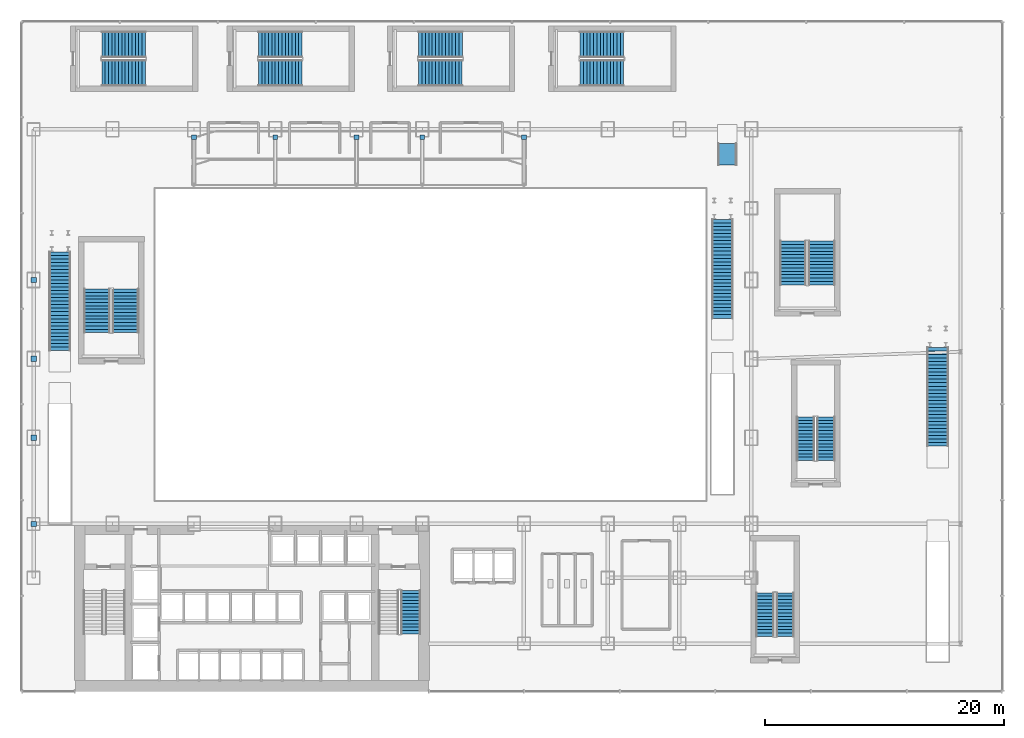
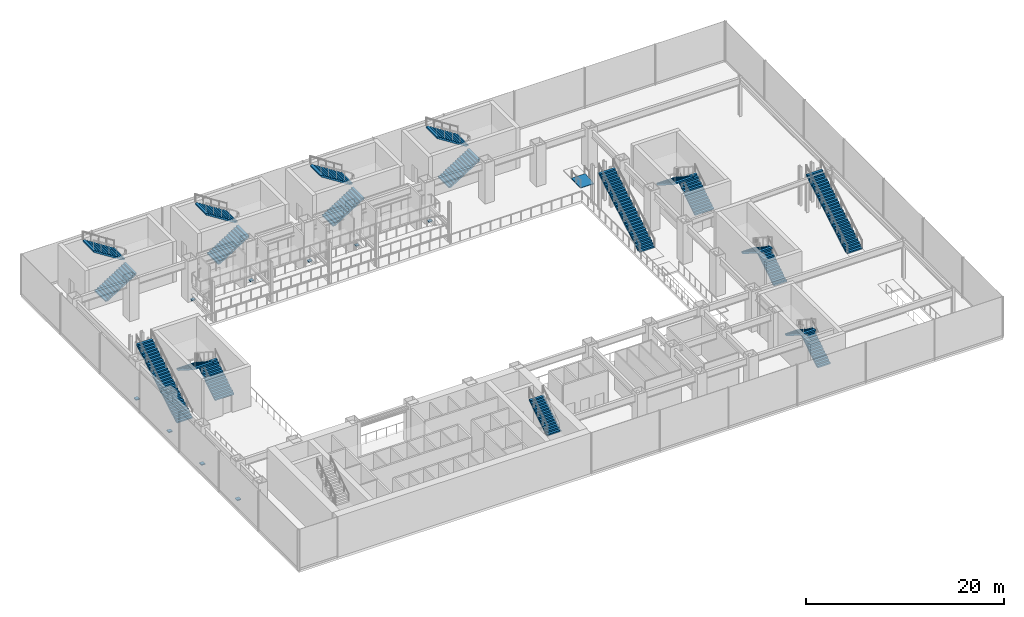
# One storey, part 31 of 40: 20 stair flights, 9 discrete accessories, 1 ramp flight, 13 elements without a shape of their own.
"""IFC4 building model written with IfcOpenShell, lengths in metres."""

from ifc_helpers import new_model, si_unit, derived_unit, direction, frame, origin, origin_2d, place, context, subcontext, project, spatial, polyline, rectangle, outline, extrude, source, transform, mapped, material, layer, layer_set, type_object, element, aggregate, save


model = new_model("IFC4")

# Units and contexts
model_context = context("Model", 3, precision=1e-05, world=origin(), true_north=direction((0.0, 1.0)))
body_context = subcontext(model_context, "Body", "Model", "MODEL_VIEW")
ifc_project = project(units=[si_unit("LENGTHUNIT", "METRE"), si_unit("AREAUNIT", "SQUARE_METRE"), si_unit("VOLUMEUNIT", "CUBIC_METRE"), si_unit("PLANEANGLEUNIT", "RADIAN"), si_unit("MASSUNIT", "GRAM", prefix="KILO"), derived_unit("THERMALTRANSMITTANCEUNIT", [(si_unit("POWERUNIT", "WATT"), 1), (si_unit("LENGTHUNIT", "METRE"), -2), (si_unit("THERMODYNAMICTEMPERATUREUNIT", "KELVIN"), -1)])], contexts=[model_context])

# Site, building, storey
site_placement = place(None, origin())
site = spatial("IfcSite", under=ifc_project, at=site_placement, CompositionType="ELEMENT")
building_placement = place(site_placement, origin())
building = spatial("IfcBuilding", under=site, at=building_placement, Name="Skarnbrae Concourse Arena and Tower", CompositionType="ELEMENT")
storey_placement = place(building_placement, frame((0.0, 0.0, 6.0)))
storey = spatial("IfcBuildingStorey", under=building, at=storey_placement, Name="L01", CompositionType="ELEMENT", Elevation=6.0)

# Stair, stair flight
ifc_material_1 = material(Name="Concrete 40 MPa (C40/50)", Category="concrete")
stair_type_1 = type_object("IfcStairType", Name="STAIR-DOGLEG-1650", PredefinedType="HALF_TURN_STAIR", material=ifc_material_1)
stair_1_placement = place(storey_placement, origin())
stair_1 = element("IfcStair", 1, at=stair_1_placement, inside=storey, type_object=stair_type_1, Name="L01 Protected Exit Stair ST-2", PredefinedType="HALF_TURN_STAIR")
stair_flight_type_1 = type_object("IfcStairFlightType", Name="FLIGHT-STRAIGHT-1650", PredefinedType="STRAIGHT", material=ifc_material_1)
shared_shape_1 = source(origin(), body_context, "Body", "SweptSolid", [
    extrude(outline(polyline([(0.0, 0.0), (0.0, 0.178466796875), (0.280029296875, 0.178466796875), (0.280029296875, 0.357177734375), (0.56005859375, 0.357177734375), (0.56005859375, 0.53564453125), (0.840087890625, 0.53564453125), (0.840087890625, 0.71435546875), (1.1201171875, 0.71435546875), (1.1201171875, 0.892822265625), (1.39990234375, 0.892822265625), (1.39990234375, 1.071533203125), (1.679931640625, 1.071533203125), (1.679931640625, 1.25), (1.9599609375, 1.25), (1.9599609375, 1.428466796875), (2.239990234375, 1.428466796875), (2.239990234375, 1.607177734375), (2.52001953125, 1.607177734375), (2.52001953125, 1.78564453125), (2.800048828125, 1.78564453125), (2.800048828125, 1.96435546875), (3.080078125, 1.96435546875), (3.080078125, 2.142822265625), (3.360107421875, 2.142822265625), (3.360107421875, 2.321533203125), (3.639892578125, 2.321533203125), (3.639892578125, 2.5), (3.639892578125, 2.1435546875), (0.27880859375, 0.0), (0.0, 0.0)])), frame((0.0, 0.824951171875, 0.0), z_axis=(0.0, -1.0, 0.0), x_axis=(1.0, 0.0, 0.0)), (0.0, 0.0, 1.0), 1.64990234375),
])
stair_flight_1_placement = place(storey_placement, frame((32.52490234375, 4.81005859375, 2.5), z_axis=(0.0, 0.0, 1.0), x_axis=(0.0, 1.0, 0.0)))
stair_flight_1 = element("IfcStairFlight", 2, at=stair_flight_1_placement, type_object=stair_flight_type_1, Name="ST-2 flight 2", NumberOfRisers=14, NumberOfTreads=13, PredefinedType="STRAIGHT", RiserHeight=0.178571429, TreadLength=0.28, context=body_context, shape_type="MappedRepresentation", body=[
    mapped(shared_shape_1, transform((0.0, 0.0, 0.0))),
])
aggregate(stair_1, [stair_flight_1])

# Stair, stair flights
stair_type_2 = type_object("IfcStairType", Name="STAIR-DOGLEG-1500", PredefinedType="HALF_TURN_STAIR", material=ifc_material_1)
stair_2_placement = place(storey_placement, origin())
stair_2 = element("IfcStair", 3, at=stair_2_placement, inside=storey, type_object=stair_type_2, Name="L01 Arena Exit Stair ST-A1", PredefinedType="HALF_TURN_STAIR")
stair_flight_type_2 = type_object("IfcStairFlightType", Name="FLIGHT-STRAIGHT-1500", PredefinedType="STRAIGHT", material=ifc_material_1)
shared_shape_2 = source(origin(), body_context, "Body", "SweptSolid", [
    extrude(outline(polyline([(0.0, 0.0), (0.0, 0.178466796875), (0.280029296875, 0.178466796875), (0.280029296875, 0.357177734375), (0.56005859375, 0.357177734375), (0.56005859375, 0.53564453125), (0.840087890625, 0.53564453125), (0.840087890625, 0.71435546875), (1.1201171875, 0.71435546875), (1.1201171875, 0.892822265625), (1.39990234375, 0.892822265625), (1.39990234375, 1.071533203125), (1.679931640625, 1.071533203125), (1.679931640625, 1.25), (1.9599609375, 1.25), (1.9599609375, 1.428466796875), (2.239990234375, 1.428466796875), (2.239990234375, 1.607177734375), (2.52001953125, 1.607177734375), (2.52001953125, 1.78564453125), (2.800048828125, 1.78564453125), (2.800048828125, 1.96435546875), (3.080078125, 1.96435546875), (3.080078125, 2.142822265625), (3.360107421875, 2.142822265625), (3.360107421875, 2.321533203125), (3.639892578125, 2.321533203125), (3.639892578125, 2.5), (3.639892578125, 2.1435546875), (0.27880859375, 0.0), (0.0, 0.0)])), frame((0.0, 0.75, 0.0), z_axis=(0.0, -1.0, 0.0), x_axis=(1.0, 0.0, 0.0)), (0.0, 0.0, 1.0), 1.5),
])
stair_flight_2_placement = place(storey_placement, frame((63.85009765625, 4.60009765625, 0.0), z_axis=(0.0, 0.0, 1.0), x_axis=(0.0, 1.0, 0.0)))
stair_flight_2 = element("IfcStairFlight", 4, at=stair_flight_2_placement, type_object=stair_flight_type_2, Name="ST-A1 flight 1", NumberOfRisers=14, NumberOfTreads=13, PredefinedType="STRAIGHT", RiserHeight=0.178571429, TreadLength=0.28, context=body_context, shape_type="MappedRepresentation", body=[
    mapped(shared_shape_2, transform((0.0, 0.0, 0.0))),
])
stair_flight_3_placement = place(storey_placement, frame((62.14990234375, 8.239990234375, 2.5), z_axis=(0.0, 0.0, 1.0), x_axis=(0.0, -1.0, 0.0)))
stair_flight_3 = element("IfcStairFlight", 5, at=stair_flight_3_placement, type_object=stair_flight_type_2, Name="ST-A1 flight 2", NumberOfRisers=14, NumberOfTreads=13, PredefinedType="STRAIGHT", RiserHeight=0.178571429, TreadLength=0.28, context=body_context, shape_type="MappedRepresentation", body=[
    mapped(shared_shape_2, transform((0.0, 0.0, 0.0))),
])
aggregate(stair_2, [stair_flight_2, stair_flight_3])

stair_3_placement = place(storey_placement, origin())
stair_3 = element("IfcStair", 6, at=stair_3_placement, inside=storey, type_object=stair_type_2, Name="L01 Arena Exit Stair ST-A2", PredefinedType="HALF_TURN_STAIR")
stair_flight_4_placement = place(storey_placement, frame((67.25, 19.300048828125, 0.0), z_axis=(0.0, 0.0, 1.0), x_axis=(0.0, 1.0, 0.0)))
stair_flight_4 = element("IfcStairFlight", 7, at=stair_flight_4_placement, type_object=stair_flight_type_2, Name="ST-A2 flight 1", NumberOfRisers=14, NumberOfTreads=13, PredefinedType="STRAIGHT", RiserHeight=0.178571429, TreadLength=0.28, context=body_context, shape_type="MappedRepresentation", body=[
    mapped(shared_shape_2, transform((0.0, 0.0, 0.0))),
])
stair_flight_5_placement = place(storey_placement, frame((65.550048828125, 22.93994140625, 2.5), z_axis=(0.0, 0.0, 1.0), x_axis=(0.0, -1.0, 0.0)))
stair_flight_5 = element("IfcStairFlight", 8, at=stair_flight_5_placement, type_object=stair_flight_type_2, Name="ST-A2 flight 2", NumberOfRisers=14, NumberOfTreads=13, PredefinedType="STRAIGHT", RiserHeight=0.178571429, TreadLength=0.28, context=body_context, shape_type="MappedRepresentation", body=[
    mapped(shared_shape_2, transform((0.0, 0.0, 0.0))),
])
aggregate(stair_3, [stair_flight_4, stair_flight_5])

stair_type_3 = type_object("IfcStairType", Name="STAIR-DOGLEG-2200", PredefinedType="HALF_TURN_STAIR", material=ifc_material_1)
stair_4_placement = place(storey_placement, origin())
stair_4 = element("IfcStair", 9, at=stair_4_placement, inside=storey, type_object=stair_type_3, Name="L01 Arena Exit Stair ST-A3", PredefinedType="HALF_TURN_STAIR")
stair_flight_type_3 = type_object("IfcStairFlightType", Name="FLIGHT-STRAIGHT-2200", PredefinedType="STRAIGHT", material=ifc_material_1)
shared_shape_3 = source(origin(), body_context, "Body", "SweptSolid", [
    extrude(outline(polyline([(0.0, 0.0), (0.0, 0.178466796875), (0.280029296875, 0.178466796875), (0.280029296875, 0.357177734375), (0.56005859375, 0.357177734375), (0.56005859375, 0.53564453125), (0.840087890625, 0.53564453125), (0.840087890625, 0.71435546875), (1.1201171875, 0.71435546875), (1.1201171875, 0.892822265625), (1.39990234375, 0.892822265625), (1.39990234375, 1.071533203125), (1.679931640625, 1.071533203125), (1.679931640625, 1.25), (1.9599609375, 1.25), (1.9599609375, 1.428466796875), (2.239990234375, 1.428466796875), (2.239990234375, 1.607177734375), (2.52001953125, 1.607177734375), (2.52001953125, 1.78564453125), (2.800048828125, 1.78564453125), (2.800048828125, 1.96435546875), (3.080078125, 1.96435546875), (3.080078125, 2.142822265625), (3.360107421875, 2.142822265625), (3.360107421875, 2.321533203125), (3.639892578125, 2.321533203125), (3.639892578125, 2.5), (3.639892578125, 2.1435546875), (0.27880859375, 0.0), (0.0, 0.0)])), frame((0.0, 1.10009765625, 0.0), z_axis=(0.0, -1.0, 0.0), x_axis=(1.0, 0.0, 0.0)), (0.0, 0.0, 1.0), 2.199951171875),
])
stair_flight_6_placement = place(storey_placement, frame((8.699951171875, 30.0, 0.0), z_axis=(0.0, 0.0, 1.0), x_axis=(0.0, 1.0, 0.0)))
stair_flight_6 = element("IfcStairFlight", 10, at=stair_flight_6_placement, type_object=stair_flight_type_3, Name="ST-A3 flight 1", NumberOfRisers=14, NumberOfTreads=13, PredefinedType="STRAIGHT", RiserHeight=0.178571429, TreadLength=0.28, context=body_context, shape_type="MappedRepresentation", body=[
    mapped(shared_shape_3, transform((0.0, 0.0, 0.0))),
])
stair_flight_7_placement = place(storey_placement, frame((6.300048828125, 33.639892578125, 2.5), z_axis=(0.0, 0.0, 1.0), x_axis=(0.0, -1.0, 0.0)))
stair_flight_7 = element("IfcStairFlight", 11, at=stair_flight_7_placement, type_object=stair_flight_type_3, Name="ST-A3 flight 2", NumberOfRisers=14, NumberOfTreads=13, PredefinedType="STRAIGHT", RiserHeight=0.178571429, TreadLength=0.28, context=body_context, shape_type="MappedRepresentation", body=[
    mapped(shared_shape_3, transform((0.0, 0.0, 0.0))),
])
aggregate(stair_4, [stair_flight_6, stair_flight_7])

stair_5_placement = place(storey_placement, origin())
stair_5 = element("IfcStair", 12, at=stair_5_placement, inside=storey, type_object=stair_type_3, Name="L01 Arena Exit Stair ST-A4", PredefinedType="HALF_TURN_STAIR")
stair_flight_8_placement = place(storey_placement, frame((66.89990234375, 34.0, 0.0), z_axis=(0.0, 0.0, 1.0), x_axis=(0.0, 1.0, 0.0)))
stair_flight_8 = element("IfcStairFlight", 13, at=stair_flight_8_placement, type_object=stair_flight_type_3, Name="ST-A4 flight 1", NumberOfRisers=14, NumberOfTreads=13, PredefinedType="STRAIGHT", RiserHeight=0.178571429, TreadLength=0.28, context=body_context, shape_type="MappedRepresentation", body=[
    mapped(shared_shape_3, transform((0.0, 0.0, 0.0))),
])
stair_flight_9_placement = place(storey_placement, frame((64.5, 37.639892578125, 2.5), z_axis=(0.0, 0.0, 1.0), x_axis=(0.0, -1.0, 0.0)))
stair_flight_9 = element("IfcStairFlight", 14, at=stair_flight_9_placement, type_object=stair_flight_type_3, Name="ST-A4 flight 2", NumberOfRisers=14, NumberOfTreads=13, PredefinedType="STRAIGHT", RiserHeight=0.178571429, TreadLength=0.28, context=body_context, shape_type="MappedRepresentation", body=[
    mapped(shared_shape_3, transform((0.0, 0.0, 0.0))),
])
aggregate(stair_5, [stair_flight_8, stair_flight_9])

stair_6_placement = place(storey_placement, origin())
stair_6 = element("IfcStair", 15, at=stair_6_placement, inside=storey, type_object=stair_type_3, Name="L01 Arena Exit Stair ST-A5", PredefinedType="HALF_TURN_STAIR")
stair_flight_10_placement = place(storey_placement, frame((6.699951171875, 51.699951171875, 0.0), z_axis=(0.0, 0.0, 1.0), x_axis=(1.0, 0.0, 0.0)))
stair_flight_10 = element("IfcStairFlight", 16, at=stair_flight_10_placement, type_object=stair_flight_type_3, Name="ST-A5 flight 1", NumberOfRisers=14, NumberOfTreads=13, PredefinedType="STRAIGHT", RiserHeight=0.178571429, TreadLength=0.28, context=body_context, shape_type="MappedRepresentation", body=[
    mapped(shared_shape_3, transform((0.0, 0.0, 0.0))),
])
stair_flight_11_placement = place(storey_placement, frame((10.340087890625, 54.10009765625, 2.5), z_axis=(0.0, 0.0, 1.0), x_axis=(-1.0, 0.0, 0.0)))
stair_flight_11 = element("IfcStairFlight", 17, at=stair_flight_11_placement, type_object=stair_flight_type_3, Name="ST-A5 flight 2", NumberOfRisers=14, NumberOfTreads=13, PredefinedType="STRAIGHT", RiserHeight=0.178571429, TreadLength=0.28, context=body_context, shape_type="MappedRepresentation", body=[
    mapped(shared_shape_3, transform((0.0, 0.0, 0.0))),
])
aggregate(stair_6, [stair_flight_10, stair_flight_11])

stair_7_placement = place(storey_placement, origin())
stair_7 = element("IfcStair", 18, at=stair_7_placement, inside=storey, type_object=stair_type_3, Name="L01 Arena Exit Stair ST-A6", PredefinedType="HALF_TURN_STAIR")
stair_flight_12_placement = place(storey_placement, frame((19.800048828125, 51.699951171875, 0.0), z_axis=(0.0, 0.0, 1.0), x_axis=(1.0, 0.0, 0.0)))
stair_flight_12 = element("IfcStairFlight", 19, at=stair_flight_12_placement, type_object=stair_flight_type_3, Name="ST-A6 flight 1", NumberOfRisers=14, NumberOfTreads=13, PredefinedType="STRAIGHT", RiserHeight=0.178571429, TreadLength=0.28, context=body_context, shape_type="MappedRepresentation", body=[
    mapped(shared_shape_3, transform((0.0, 0.0, 0.0))),
])
stair_flight_13_placement = place(storey_placement, frame((23.43994140625, 54.10009765625, 2.5), z_axis=(0.0, 0.0, 1.0), x_axis=(-1.0, 0.0, 0.0)))
stair_flight_13 = element("IfcStairFlight", 20, at=stair_flight_13_placement, type_object=stair_flight_type_3, Name="ST-A6 flight 2", NumberOfRisers=14, NumberOfTreads=13, PredefinedType="STRAIGHT", RiserHeight=0.178571429, TreadLength=0.28, context=body_context, shape_type="MappedRepresentation", body=[
    mapped(shared_shape_3, transform((0.0, 0.0, 0.0))),
])
aggregate(stair_7, [stair_flight_12, stair_flight_13])

stair_8_placement = place(storey_placement, origin())
stair_8 = element("IfcStair", 21, at=stair_8_placement, inside=storey, type_object=stair_type_3, Name="L01 Arena Exit Stair ST-A7", PredefinedType="HALF_TURN_STAIR")
stair_flight_14_placement = place(storey_placement, frame((33.199951171875, 51.699951171875, 0.0), z_axis=(0.0, 0.0, 1.0), x_axis=(1.0, 0.0, 0.0)))
stair_flight_14 = element("IfcStairFlight", 22, at=stair_flight_14_placement, type_object=stair_flight_type_3, Name="ST-A7 flight 1", NumberOfRisers=14, NumberOfTreads=13, PredefinedType="STRAIGHT", RiserHeight=0.178571429, TreadLength=0.28, context=body_context, shape_type="MappedRepresentation", body=[
    mapped(shared_shape_3, transform((0.0, 0.0, 0.0))),
])
stair_flight_15_placement = place(storey_placement, frame((36.840087890625, 54.10009765625, 2.5), z_axis=(0.0, 0.0, 1.0), x_axis=(-1.0, 0.0, 0.0)))
stair_flight_15 = element("IfcStairFlight", 23, at=stair_flight_15_placement, type_object=stair_flight_type_3, Name="ST-A7 flight 2", NumberOfRisers=14, NumberOfTreads=13, PredefinedType="STRAIGHT", RiserHeight=0.178571429, TreadLength=0.28, context=body_context, shape_type="MappedRepresentation", body=[
    mapped(shared_shape_3, transform((0.0, 0.0, 0.0))),
])
aggregate(stair_8, [stair_flight_14, stair_flight_15])

stair_9_placement = place(storey_placement, origin())
stair_9 = element("IfcStair", 24, at=stair_9_placement, inside=storey, type_object=stair_type_3, Name="L01 Arena Exit Stair ST-A8", PredefinedType="HALF_TURN_STAIR")
stair_flight_16_placement = place(storey_placement, frame((46.699951171875, 51.699951171875, 0.0), z_axis=(0.0, 0.0, 1.0), x_axis=(1.0, 0.0, 0.0)))
stair_flight_16 = element("IfcStairFlight", 25, at=stair_flight_16_placement, type_object=stair_flight_type_3, Name="ST-A8 flight 1", NumberOfRisers=14, NumberOfTreads=13, PredefinedType="STRAIGHT", RiserHeight=0.178571429, TreadLength=0.28, context=body_context, shape_type="MappedRepresentation", body=[
    mapped(shared_shape_3, transform((0.0, 0.0, 0.0))),
])
stair_flight_17_placement = place(storey_placement, frame((50.340087890625, 54.10009765625, 2.5), z_axis=(0.0, 0.0, 1.0), x_axis=(-1.0, 0.0, 0.0)))
stair_flight_17 = element("IfcStairFlight", 26, at=stair_flight_17_placement, type_object=stair_flight_type_3, Name="ST-A8 flight 2", NumberOfRisers=14, NumberOfTreads=13, PredefinedType="STRAIGHT", RiserHeight=0.178571429, TreadLength=0.28, context=body_context, shape_type="MappedRepresentation", body=[
    mapped(shared_shape_3, transform((0.0, 0.0, 0.0))),
])
aggregate(stair_9, [stair_flight_16, stair_flight_17])

# Stair, stair flight
stair_type_4 = type_object("IfcStairType", Name="STAIR-STRAIGHT-1800", PredefinedType="STRAIGHT_RUN_STAIR", material=ifc_material_1)
stair_10_placement = place(storey_placement, origin())
stair_10 = element("IfcStair", 27, at=stair_10_placement, inside=storey, type_object=stair_type_4, Name="L01 Transit Concourse Straight Stair ST-CONC-1", PredefinedType="STRAIGHT_RUN_STAIR")
stair_flight_type_4 = type_object("IfcStairFlightType", Name="FLIGHT-STRAIGHT-1800", PredefinedType="STRAIGHT", material=ifc_material_1)
shared_shape_4 = source(origin(), body_context, "Body", "SweptSolid", [
    extrude(outline(polyline([(0.0, 0.0), (0.0, 0.17236328125), (0.294921875, 0.17236328125), (0.294921875, 0.3447265625), (0.590087890625, 0.3447265625), (0.590087890625, 0.517333984375), (0.885009765625, 0.517333984375), (0.885009765625, 0.689697265625), (1.179931640625, 0.689697265625), (1.179931640625, 0.862060546875), (1.47509765625, 0.862060546875), (1.47509765625, 1.034423828125), (1.77001953125, 1.034423828125), (1.77001953125, 1.206787109375), (2.06494140625, 1.206787109375), (2.06494140625, 1.37939453125), (2.360107421875, 1.37939453125), (2.360107421875, 1.5517578125), (2.655029296875, 1.5517578125), (2.655029296875, 1.72412109375), (2.949951171875, 1.72412109375), (2.949951171875, 1.896484375), (3.2451171875, 1.896484375), (3.2451171875, 2.06884765625), (3.5400390625, 2.06884765625), (3.5400390625, 2.241455078125), (3.8349609375, 2.241455078125), (3.8349609375, 2.413818359375), (4.1298828125, 2.413818359375), (4.1298828125, 2.586181640625), (4.425048828125, 2.586181640625), (4.425048828125, 2.758544921875), (4.719970703125, 2.758544921875), (4.719970703125, 2.93115234375), (5.014892578125, 2.93115234375), (5.014892578125, 3.103515625), (5.31005859375, 3.103515625), (5.31005859375, 3.27587890625), (5.60498046875, 3.27587890625), (5.60498046875, 3.4482421875), (5.89990234375, 3.4482421875), (5.89990234375, 3.62060546875), (6.195068359375, 3.62060546875), (6.195068359375, 3.793212890625), (6.489990234375, 3.793212890625), (6.489990234375, 3.965576171875), (6.784912109375, 3.965576171875), (6.784912109375, 4.137939453125), (7.080078125, 4.137939453125), (7.080078125, 4.310302734375), (7.375, 4.310302734375), (7.375, 4.482666015625), (7.669921875, 4.482666015625), (7.669921875, 4.6552734375), (7.965087890625, 4.6552734375), (7.965087890625, 4.82763671875), (8.260009765625, 4.82763671875), (8.260009765625, 5.0), (8.260009765625, 4.619140625), (0.356689453125, 0.0), (0.0, 0.0)])), frame((0.0, 0.89990234375, 0.0), z_axis=(0.0, -1.0, 0.0), x_axis=(1.0, 0.0, 0.0)), (0.0, 0.0, 1.0), 1.800048828125),
])
stair_flight_18_placement = place(storey_placement, frame((76.60009765625, 20.5, 0.0), z_axis=(0.0, 0.0, 1.0), x_axis=(0.0, 1.0, 0.0)))
stair_flight_18 = element("IfcStairFlight", 28, at=stair_flight_18_placement, type_object=stair_flight_type_4, Name="ST-CONC-1 Straight Flight L01", NumberOfRisers=29, NumberOfTreads=28, PredefinedType="STRAIGHT", RiserHeight=0.172414, TreadLength=0.295, context=body_context, shape_type="MappedRepresentation", body=[
    mapped(shared_shape_4, transform((0.0, 0.0, 0.0))),
])
aggregate(stair_10, [stair_flight_18])

stair_11_placement = place(storey_placement, origin())
stair_11 = element("IfcStair", 29, at=stair_11_placement, inside=storey, type_object=stair_type_4, Name="L01 Transit Concourse Straight Stair ST-CONC-2", PredefinedType="STRAIGHT_RUN_STAIR")
stair_flight_19_placement = place(storey_placement, frame((3.199951171875, 28.5, 0.0), z_axis=(0.0, 0.0, 1.0), x_axis=(0.0, 1.0, 0.0)))
stair_flight_19 = element("IfcStairFlight", 30, at=stair_flight_19_placement, type_object=stair_flight_type_4, Name="ST-CONC-2 Straight Flight L01", NumberOfRisers=29, NumberOfTreads=28, PredefinedType="STRAIGHT", RiserHeight=0.172414, TreadLength=0.295, context=body_context, shape_type="MappedRepresentation", body=[
    mapped(shared_shape_4, transform((0.0, 0.0, 0.0))),
])
aggregate(stair_11, [stair_flight_19])

stair_12_placement = place(storey_placement, origin())
stair_12 = element("IfcStair", 31, at=stair_12_placement, inside=storey, type_object=stair_type_4, Name="L01 Transit Concourse Straight Stair ST-CONC-3", PredefinedType="STRAIGHT_RUN_STAIR")
stair_flight_20_placement = place(storey_placement, frame((58.60009765625, 31.199951171875, 0.0), z_axis=(0.0, 0.0, 1.0), x_axis=(0.0, 1.0, 0.0)))
stair_flight_20 = element("IfcStairFlight", 32, at=stair_flight_20_placement, type_object=stair_flight_type_4, Name="ST-CONC-3 Straight Flight L01", NumberOfRisers=29, NumberOfTreads=28, PredefinedType="STRAIGHT", RiserHeight=0.172414, TreadLength=0.295, context=body_context, shape_type="MappedRepresentation", body=[
    mapped(shared_shape_4, transform((0.0, 0.0, 0.0))),
])
aggregate(stair_12, [stair_flight_20])

# Ramp, ramp flight
ramp_type = type_object("IfcRampType", Name="RAMP-ACC-1600", PredefinedType="STRAIGHT_RUN_RAMP", material=ifc_material_1)
ramp_placement = place(storey_placement, origin())
ramp = element("IfcRamp", 33, at=ramp_placement, inside=storey, type_object=ramp_type, Name="L01 Barrier-free accessible ramp R-A02", PredefinedType="STRAIGHT_RUN_RAMP")
ifc_layer = layer(ifc_material_1, 0.25)
ifc_layer_set = layer_set([ifc_layer], Name="Concrete 40 MPa (C40/50)")
ramp_flight_type = type_object("IfcRampFlightType", Name="RAMPFLIGHT-ACC-250", PredefinedType="STRAIGHT", material=ifc_layer_set)
ramp_flight_placement = place(storey_placement, frame((58.199951171875, 44.0, 0.02001953125), z_axis=(0.0, -0.06644715358, 0.997789945721), x_axis=(1.0, 0.0, 0.0)))
ramp_flight = element("IfcRampFlight", 34, at=ramp_flight_placement, type_object=ramp_flight_type, Name="L01 Accessible ramp flight 02", PredefinedType="STRAIGHT", context=body_context, shape_type="SweptSolid", body=[
    extrude(outline(polyline([(0.0, 0.0), (1.60009765625, 0.0), (1.60009765625, 1.8040358452650773), (0.0, 1.8040358452650773), (0.0, 0.0)])), origin(), (0.0, 0.0, -1.0), 0.1201171875),
])
aggregate(ramp, [ramp_flight])

# Discrete accessories
ifc_material_2 = material(Name="Steel CSA G40.21 350W", Category="steel")
discrete_accessory_type_1 = type_object("IfcDiscreteAccessoryType", Name="ACC-BEARING-PTFE-MJ01", PredefinedType="SHOE", material=ifc_material_2)
shared_shape_5 = source(origin(), body_context, "Body", "SweptSolid", [
    extrude(rectangle(XDim=0.449951171875, YDim=0.449951171875, at=origin_2d()), origin(), (0.0, 0.0, 1.0), 0.1201171875),
])
for number, where, z_axis, x_axis, name in (
    (35, (1.0, 14.0, -0.1201171875), (0.0, 0.0, 1.0), (1.0, 0.0, 0.0), "Unguided PTFE Sliding Bearing MJ-01 #1"),
    (36, (1.0, 21.199951171875, -0.1201171875), (0.0, 0.0, 1.0), (1.0, 0.0, 0.0), "Unguided PTFE Sliding Bearing MJ-01 #2"),
    (37, (1.0, 27.800048828125, -0.1201171875), (0.0, 0.0, 1.0), (1.0, 0.0, 0.0), "Unguided PTFE Sliding Bearing MJ-01 #3"),
    (38, (1.0, 34.39990234375, -0.1201171875), (0.0, 0.0, 1.0), (1.0, 0.0, 0.0), "Unguided PTFE Sliding Bearing MJ-01 #4"),
):
    element("IfcDiscreteAccessory", number, at=place(storey_placement, frame(where, z_axis=z_axis, x_axis=x_axis)), inside=storey, type_object=discrete_accessory_type_1, Name=name, PredefinedType="SHOE", context=body_context, shape_type="MappedRepresentation", body=[
        mapped(shared_shape_5, transform((0.0, 0.0, 0.0))),
    ])
discrete_accessory_type_2 = type_object("IfcDiscreteAccessoryType", Name="ACC-BEARING-RAKER-RB01", PredefinedType="SHOE", material=ifc_material_2)
shared_shape_6 = source(origin(), body_context, "Body", "SweptSolid", [
    extrude(rectangle(XDim=0.39990234375, YDim=0.39990234375, at=origin_2d()), origin(), (0.0, 0.0, 1.0), 0.10009765625),
])
for number, where, z_axis, x_axis, name in (
    (39, (14.39990234375, 46.330078125, 0.169921875), (0.0, 0.0, 1.0), (1.0, 0.0, 0.0), "L01 Guided Arena Raker Bearing RB-01 N01"),
    (40, (21.199951171875, 46.330078125, 0.169921875), (0.0, 0.0, 1.0), (1.0, 0.0, 0.0), "L01 Guided Arena Raker Bearing RB-01 N02"),
    (41, (28.0, 46.330078125, 0.169921875), (0.0, 0.0, 1.0), (1.0, 0.0, 0.0), "L01 Guided Arena Raker Bearing RB-01 N03"),
    (42, (33.5, 46.330078125, 0.169921875), (0.0, 0.0, 1.0), (1.0, 0.0, 0.0), "L01 Guided Arena Raker Bearing RB-01 N04"),
    (43, (42.0, 46.330078125, 0.169921875), (0.0, 0.0, 1.0), (1.0, 0.0, 0.0), "L01 Guided Arena Raker Bearing RB-01 N05"),
):
    element("IfcDiscreteAccessory", number, at=place(storey_placement, frame(where, z_axis=z_axis, x_axis=x_axis)), inside=storey, type_object=discrete_accessory_type_2, Name=name, PredefinedType="SHOE", context=body_context, shape_type="MappedRepresentation", body=[
        mapped(shared_shape_6, transform((0.0, 0.0, 0.0))),
    ])

save(model, "model.ifc")
